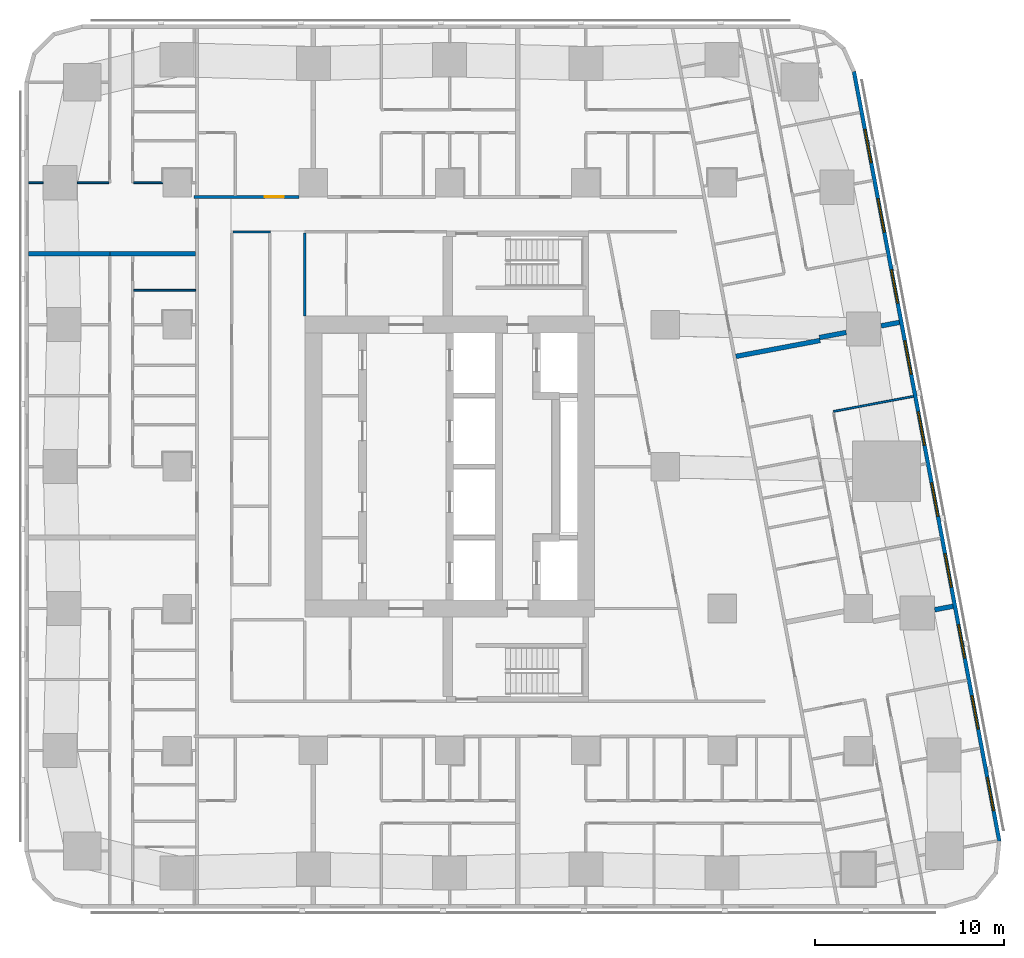
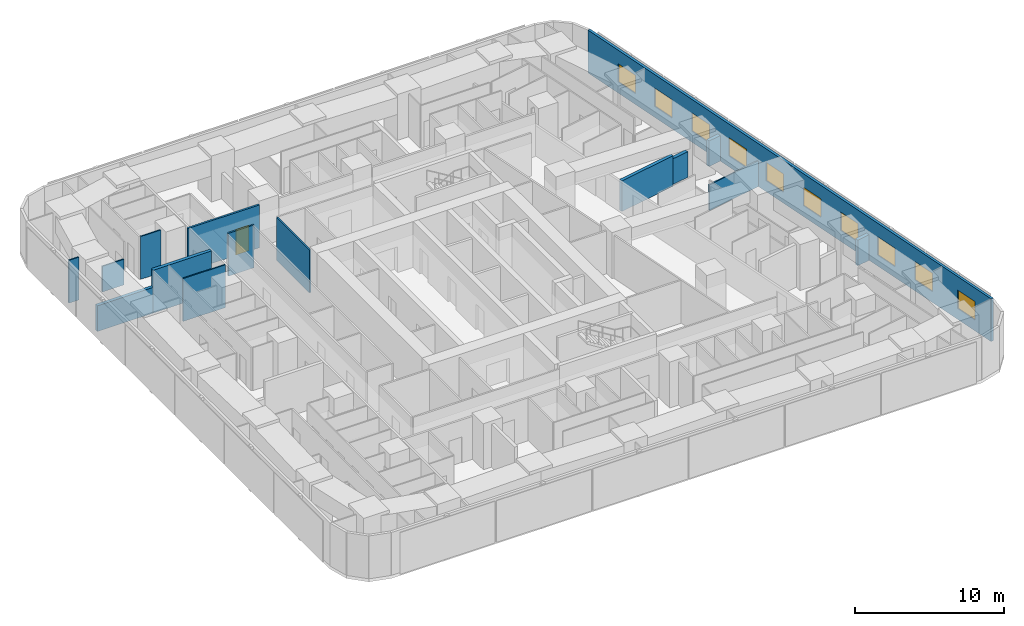
# One storey, part 8 of 15: 15 walls, 10 windows, 1 door, 11 openings.
"""IFC4 building model written with IfcOpenShell, lengths in metres."""

from ifc_helpers import new_model, si_unit, direction, frame, frame_2d, origin, place, context, subcontext, project, spatial, rectangle, extrude, material, layer, layer_set, type_object, element, fill, save


model = new_model("IFC4")

# Units and contexts
model_context = context("Model", 3, precision=1e-05, world=origin(), true_north=direction((0.0, 1.0)))
body_context = subcontext(model_context, "Body", "Model", "MODEL_VIEW")
ifc_project = project(units=[si_unit("LENGTHUNIT", "METRE"), si_unit("AREAUNIT", "SQUARE_METRE"), si_unit("VOLUMEUNIT", "CUBIC_METRE"), si_unit("PLANEANGLEUNIT", "RADIAN"), si_unit("MASSUNIT", "GRAM", prefix="KILO")], contexts=[model_context])

# Site, building, storey
site_placement = place(None, origin())
site = spatial("IfcSite", under=ifc_project, at=site_placement, CompositionType="ELEMENT")
building_placement = place(site_placement, origin())
building = spatial("IfcBuilding", under=site, at=building_placement, Name="Sheger Commons Tower", CompositionType="ELEMENT")
storey_placement = place(building_placement, frame((0.0, 0.0, 154.550048828125)))
storey = spatial("IfcBuildingStorey", under=building, at=storey_placement, Name="L39", CompositionType="ELEMENT", Elevation=154.550048828125)

# Wall, opening, door
ifc_material_1 = material(Name="Hollow concrete block masonry, skimmed both sides", Category="masonry")
ifc_layer_1 = layer(ifc_material_1, 0.14990234375)
ifc_layer_set_1 = layer_set([ifc_layer_1], Name="CORRIDOR WALL 150")
wall_type_1 = type_object("IfcWallType", Name="CORRIDOR WALL 150", PredefinedType="SOLIDWALL", material=ifc_layer_set_1)
wall_1_placement = place(storey_placement, frame((8.10009765625, 36.75, 0.0), z_axis=(0.0, 0.0, 1.0), x_axis=(1.0, 0.0, 0.0)))
wall_1 = element("IfcWall", 1, at=wall_1_placement, inside=storey, type_object=wall_type_1, Name="Corridor wall L39", PredefinedType="SOLIDWALL", context=body_context, shape_type="SweptSolid", body=[
    extrude(rectangle(XDim=5.548828125, YDim=0.14990234375, at=frame_2d((2.7744140625, 0.0))), origin(), (0.0, 0.0, 1.0), 3.5),
])
opening_1_placement = place(wall_1_placement, frame((3.739013671875, 0.0, 0.0)))
opening_1 = element("IfcOpeningElement", 2, at=opening_1_placement, cuts=wall_1, Name="Opening D1", PredefinedType="OPENING", context=body_context, shape_type="SweptSolid", body=[
    extrude(rectangle(XDim=1.0, YDim=2.10009765625, at=frame_2d((0.5, 1.050048828125))), frame((0.0, 0.0849609375, 0.0), z_axis=(0.0, -1.0, 0.0), x_axis=(1.0, 0.0, 0.0)), (0.0, 0.0, 1.0), 0.169921875),
])
ifc_material_2 = material(Name="Steel door set, fire rated", Category="steel")
door_type = type_object("IfcDoorType", Name="FLAT ENTRANCE DOOR 1000x2100", OperationType="NOTDEFINED", PredefinedType="DOOR", material=ifc_material_2)
door_placement = place(opening_1_placement, origin())
door = element("IfcDoor", 3, at=door_placement, inside=storey, type_object=door_type, Name="Flat entrance door", OperationType="SINGLE_SWING_RIGHT", OverallHeight=2.10009765625, OverallWidth=1.0, PredefinedType="DOOR", context=body_context, shape_type="SweptSolid", body=[
    extrude(rectangle(XDim=1.0, YDim=2.10009765625, at=frame_2d((0.5, 1.050048828125))), frame((0.0, 0.02490234375, 0.0), z_axis=(0.0, -1.0, 0.0), x_axis=(1.0, 0.0, 0.0)), (0.0, 0.0, 1.0), 0.050048828125),
])
fill(opening_1, door)

# Walls
ifc_material_3 = material(Name="Dense concrete block masonry, plastered both sides (separating wall between flats)", Category="masonry")
ifc_layer_2 = layer(ifc_material_3, 0.25)
ifc_layer_set_2 = layer_set([ifc_layer_2], Name="DEMISING WALL 250")
wall_type_2 = type_object("IfcWallType", Name="DEMISING WALL 250", PredefinedType="SOLIDWALL", material=ifc_layer_set_2)
wall_2_placement = place(storey_placement, frame((-0.64990234375, 33.75, 0.0), z_axis=(0.0, 0.0, 1.0), x_axis=(1.0, 0.0, 0.0)))
element("IfcWall", 4, at=wall_2_placement, inside=storey, type_object=wall_type_2, Name="Demising wall L39", PredefinedType="SOLIDWALL", context=body_context, shape_type="SweptSolid", body=[
    extrude(rectangle(XDim=4.2998046875, YDim=0.25, at=frame_2d((2.14990234375, 0.0))), origin(), (0.0, 0.0, 1.0), 2.099853515625),
])
wall_3_placement = place(storey_placement, frame((3.64990234375, 33.75, 0.0), z_axis=(0.0, 0.0, 1.0), x_axis=(1.0, 0.0, 0.0)))
element("IfcWall", 5, at=wall_3_placement, inside=storey, type_object=wall_type_2, Name="Demising wall L39", PredefinedType="SOLIDWALL", context=body_context, shape_type="SweptSolid", body=[
    extrude(rectangle(XDim=4.525146484375, YDim=0.25, at=frame_2d((2.2626953125, 0.0))), origin(), (0.0, 0.0, 1.0), 3.5),
])
wall_4_placement = place(storey_placement, frame((45.3720703125, 30.12109375, 0.0), z_axis=(0.0, 0.0, 1.0), x_axis=(-0.982576361834, -0.185859337043, 0.0)))
element("IfcWall", 6, at=wall_4_placement, inside=storey, type_object=wall_type_2, Name="Demising wall L39", PredefinedType="SOLIDWALL", context=body_context, shape_type="SweptSolid", body=[
    extrude(rectangle(XDim=0.985107421875, YDim=0.25, at=frame_2d((0.49267578125, 0.0))), origin(), (0.0, 0.0, 1.0), 2.099853515625),
])
wall_5_placement = place(storey_placement, frame((42.555908203125, 29.589111328125, 0.0), z_axis=(0.0, 0.0, 1.0), x_axis=(-0.982502104561, -0.18625148196, 0.0)))
element("IfcWall", 7, at=wall_5_placement, inside=storey, type_object=wall_type_2, Name="Demising wall L39", PredefinedType="SOLIDWALL", context=body_context, shape_type="SweptSolid", body=[
    extrude(rectangle(XDim=1.43408203125, YDim=0.25, at=frame_2d((0.717041015625, 0.0))), origin(), (0.0, 0.0, 1.0), 2.099853515625),
])
wall_6_placement = place(storey_placement, frame((41.177001953125, 29.1640625, 0.0), z_axis=(0.0, 0.0, 1.0), x_axis=(-0.982612837616, -0.185666398014, 0.0)))
element("IfcWall", 8, at=wall_6_placement, inside=storey, type_object=wall_type_2, Name="Demising wall L39", PredefinedType="SOLIDWALL", context=body_context, shape_type="SweptSolid", body=[
    extrude(rectangle(XDim=4.524658203125, YDim=0.25, at=frame_2d((2.26220703125, 0.0))), origin(), (0.0, 0.0, 1.0), 2.5),
])
wall_7_placement = place(storey_placement, frame((48.2060546875, 15.1201171875, 0.0), z_axis=(0.0, 0.0, 1.0), x_axis=(-0.982576361834, -0.185859337043, 0.0)))
element("IfcWall", 9, at=wall_7_placement, inside=storey, type_object=wall_type_2, Name="Demising wall L39", PredefinedType="SOLIDWALL", context=body_context, shape_type="SweptSolid", body=[
    extrude(rectangle(XDim=0.985107421875, YDim=0.25, at=frame_2d((0.49267578125, 0.0))), origin(), (0.0, 0.0, 1.0), 2.099853515625),
])

# Wall, openings, windows
ifc_material_4 = material(Name="Rendered concrete block masonry, dark grey", Category="masonry")
ifc_layer_3 = layer(ifc_material_4, 0.199951171875)
ifc_layer_set_3 = layer_set([ifc_layer_3], Name="FACADE WALL 200")
wall_type_3 = type_object("IfcWallType", Name="FACADE WALL 200", PredefinedType="SOLIDWALL", material=ifc_layer_set_3)
wall_8_placement = place(storey_placement, frame((50.653076171875, 2.702880859375, 0.0), z_axis=(0.0, 0.0, 1.0), x_axis=(-0.185612026696, 0.982623109613, 0.0)))
wall_8 = element("IfcWall", 10, at=wall_8_placement, inside=storey, type_object=wall_type_3, Name="Facade wall L39", PredefinedType="SOLIDWALL", context=body_context, shape_type="SweptSolid", body=[
    extrude(rectangle(XDim=41.393310546875, YDim=0.199951171875, at=frame_2d((20.69677734375, 0.0))), origin(), (0.0, 0.0, 1.0), 3.5),
])
opening_2_placement = place(wall_8_placement, frame((1.633056640625, 0.0, 0.89990234375)))
opening_2 = element("IfcOpeningElement", 11, at=opening_2_placement, cuts=wall_8, Name="Opening W2", PredefinedType="OPENING", context=body_context, shape_type="SweptSolid", body=[
    extrude(rectangle(XDim=1.800048828125, YDim=1.5, at=frame_2d((0.89990234375, 0.75))), frame((0.0, 0.10986328125, 0.0), z_axis=(0.0, -1.0, 0.0), x_axis=(1.0, 0.0, 0.0)), (0.0, 0.0, 1.0), 0.219970703125),
])
opening_3_placement = place(wall_8_placement, frame((6.031982421875, 0.0, 0.89990234375)))
opening_3 = element("IfcOpeningElement", 12, at=opening_3_placement, cuts=wall_8, Name="Opening W2", PredefinedType="OPENING", context=body_context, shape_type="SweptSolid", body=[
    extrude(rectangle(XDim=1.800048828125, YDim=1.5, at=frame_2d((0.89990234375, 0.75))), frame((0.0, 0.10986328125, 0.0), z_axis=(0.0, -1.0, 0.0), x_axis=(1.0, 0.0, 0.0)), (0.0, 0.0, 1.0), 0.219970703125),
])
opening_4_placement = place(wall_8_placement, frame((9.847900390625, 0.0, 0.89990234375)))
opening_4 = element("IfcOpeningElement", 13, at=opening_4_placement, cuts=wall_8, Name="Opening W2", PredefinedType="OPENING", context=body_context, shape_type="SweptSolid", body=[
    extrude(rectangle(XDim=1.800048828125, YDim=1.5, at=frame_2d((0.89990234375, 0.75))), frame((0.0, 0.10986328125, 0.0), z_axis=(0.0, -1.0, 0.0), x_axis=(1.0, 0.0, 0.0)), (0.0, 0.0, 1.0), 0.219970703125),
])
opening_5_placement = place(wall_8_placement, frame((13.6640625, 0.0, 0.89990234375)))
opening_5 = element("IfcOpeningElement", 14, at=opening_5_placement, cuts=wall_8, Name="Opening W2", PredefinedType="OPENING", context=body_context, shape_type="SweptSolid", body=[
    extrude(rectangle(XDim=1.800048828125, YDim=1.5, at=frame_2d((0.89990234375, 0.75))), frame((0.0, 0.10986328125, 0.0), z_axis=(0.0, -1.0, 0.0), x_axis=(1.0, 0.0, 0.0)), (0.0, 0.0, 1.0), 0.219970703125),
])
opening_6_placement = place(wall_8_placement, frame((17.48095703125, 0.0, 0.89990234375)))
opening_6 = element("IfcOpeningElement", 15, at=opening_6_placement, cuts=wall_8, Name="Opening W2", PredefinedType="OPENING", context=body_context, shape_type="SweptSolid", body=[
    extrude(rectangle(XDim=1.800048828125, YDim=1.5, at=frame_2d((0.89990234375, 0.75))), frame((0.0, 0.10986328125, 0.0), z_axis=(0.0, -1.0, 0.0), x_axis=(1.0, 0.0, 0.0)), (0.0, 0.0, 1.0), 0.219970703125),
])
opening_7_placement = place(wall_8_placement, frame((21.297119140625, 0.0, 0.89990234375)))
opening_7 = element("IfcOpeningElement", 16, at=opening_7_placement, cuts=wall_8, Name="Opening W2", PredefinedType="OPENING", context=body_context, shape_type="SweptSolid", body=[
    extrude(rectangle(XDim=1.800048828125, YDim=1.5, at=frame_2d((0.89990234375, 0.75))), frame((0.0, 0.10986328125, 0.0), z_axis=(0.0, -1.0, 0.0), x_axis=(1.0, 0.0, 0.0)), (0.0, 0.0, 1.0), 0.219970703125),
])
opening_8_placement = place(wall_8_placement, frame((25.113037109375, 0.0, 0.89990234375)))
opening_8 = element("IfcOpeningElement", 17, at=opening_8_placement, cuts=wall_8, Name="Opening W2", PredefinedType="OPENING", context=body_context, shape_type="SweptSolid", body=[
    extrude(rectangle(XDim=1.800048828125, YDim=1.5, at=frame_2d((0.89990234375, 0.75))), frame((0.0, 0.10986328125, 0.0), z_axis=(0.0, -1.0, 0.0), x_axis=(1.0, 0.0, 0.0)), (0.0, 0.0, 1.0), 0.219970703125),
])
opening_9_placement = place(wall_8_placement, frame((28.929931640625, 0.0, 0.89990234375)))
opening_9 = element("IfcOpeningElement", 18, at=opening_9_placement, cuts=wall_8, Name="Opening W2", PredefinedType="OPENING", context=body_context, shape_type="SweptSolid", body=[
    extrude(rectangle(XDim=1.800048828125, YDim=1.5, at=frame_2d((0.89990234375, 0.75))), frame((0.0, 0.10986328125, 0.0), z_axis=(0.0, -1.0, 0.0), x_axis=(1.0, 0.0, 0.0)), (0.0, 0.0, 1.0), 0.219970703125),
])
opening_10_placement = place(wall_8_placement, frame((32.74609375, 0.0, 0.89990234375)))
opening_10 = element("IfcOpeningElement", 19, at=opening_10_placement, cuts=wall_8, Name="Opening W2", PredefinedType="OPENING", context=body_context, shape_type="SweptSolid", body=[
    extrude(rectangle(XDim=1.800048828125, YDim=1.5, at=frame_2d((0.89990234375, 0.75))), frame((0.0, 0.10986328125, 0.0), z_axis=(0.0, -1.0, 0.0), x_axis=(1.0, 0.0, 0.0)), (0.0, 0.0, 1.0), 0.219970703125),
])
opening_11_placement = place(wall_8_placement, frame((36.48095703125, 0.0, 0.89990234375)))
opening_11 = element("IfcOpeningElement", 20, at=opening_11_placement, cuts=wall_8, Name="Opening W2", PredefinedType="OPENING", context=body_context, shape_type="SweptSolid", body=[
    extrude(rectangle(XDim=1.800048828125, YDim=1.5, at=frame_2d((0.89990234375, 0.75))), frame((0.0, 0.10986328125, 0.0), z_axis=(0.0, -1.0, 0.0), x_axis=(1.0, 0.0, 0.0)), (0.0, 0.0, 1.0), 0.219970703125),
])
ifc_material_5 = material(Name="Black aluminium frame, dark tinted double glazing", Category="aluminium")
window_type = type_object("IfcWindowType", Name="WINDOW W2 1800x1500", PartitioningType="SINGLE_PANEL", PredefinedType="WINDOW", material=ifc_material_5)
window_1_placement = place(opening_2_placement, origin())
window_1 = element("IfcWindow", 21, at=window_1_placement, inside=storey, type_object=window_type, Name="Window W2 1800X1500", OverallHeight=1.5, OverallWidth=1.800048828125, PartitioningType="SINGLE_PANEL", PredefinedType="WINDOW", context=body_context, shape_type="SweptSolid", body=[
    extrude(rectangle(XDim=1.800048828125, YDim=1.5, at=frame_2d((0.89990234375, 0.75))), frame((0.0, 0.030029296875, 0.0), z_axis=(0.0, -1.0, 0.0), x_axis=(1.0, 0.0, 0.0)), (0.0, 0.0, 1.0), 0.06005859375),
])
fill(opening_2, window_1)
window_2_placement = place(opening_3_placement, origin())
window_2 = element("IfcWindow", 22, at=window_2_placement, inside=storey, type_object=window_type, Name="Window W2 1800X1500", OverallHeight=1.5, OverallWidth=1.800048828125, PartitioningType="SINGLE_PANEL", PredefinedType="WINDOW", context=body_context, shape_type="SweptSolid", body=[
    extrude(rectangle(XDim=1.800048828125, YDim=1.5, at=frame_2d((0.89990234375, 0.75))), frame((0.0, 0.030029296875, 0.0), z_axis=(0.0, -1.0, 0.0), x_axis=(1.0, 0.0, 0.0)), (0.0, 0.0, 1.0), 0.06005859375),
])
fill(opening_3, window_2)
window_3_placement = place(opening_4_placement, origin())
window_3 = element("IfcWindow", 23, at=window_3_placement, inside=storey, type_object=window_type, Name="Window W2 1800X1500", OverallHeight=1.5, OverallWidth=1.800048828125, PartitioningType="SINGLE_PANEL", PredefinedType="WINDOW", context=body_context, shape_type="SweptSolid", body=[
    extrude(rectangle(XDim=1.800048828125, YDim=1.5, at=frame_2d((0.89990234375, 0.75))), frame((0.0, 0.030029296875, 0.0), z_axis=(0.0, -1.0, 0.0), x_axis=(1.0, 0.0, 0.0)), (0.0, 0.0, 1.0), 0.06005859375),
])
fill(opening_4, window_3)
window_4_placement = place(opening_5_placement, origin())
window_4 = element("IfcWindow", 24, at=window_4_placement, inside=storey, type_object=window_type, Name="Window W2 1800X1500", OverallHeight=1.5, OverallWidth=1.800048828125, PartitioningType="SINGLE_PANEL", PredefinedType="WINDOW", context=body_context, shape_type="SweptSolid", body=[
    extrude(rectangle(XDim=1.800048828125, YDim=1.5, at=frame_2d((0.89990234375, 0.75))), frame((0.0, 0.030029296875, 0.0), z_axis=(0.0, -1.0, 0.0), x_axis=(1.0, 0.0, 0.0)), (0.0, 0.0, 1.0), 0.06005859375),
])
fill(opening_5, window_4)
window_5_placement = place(opening_6_placement, origin())
window_5 = element("IfcWindow", 25, at=window_5_placement, inside=storey, type_object=window_type, Name="Window W2 1800X1500", OverallHeight=1.5, OverallWidth=1.800048828125, PartitioningType="SINGLE_PANEL", PredefinedType="WINDOW", context=body_context, shape_type="SweptSolid", body=[
    extrude(rectangle(XDim=1.800048828125, YDim=1.5, at=frame_2d((0.89990234375, 0.75))), frame((0.0, 0.030029296875, 0.0), z_axis=(0.0, -1.0, 0.0), x_axis=(1.0, 0.0, 0.0)), (0.0, 0.0, 1.0), 0.06005859375),
])
fill(opening_6, window_5)
window_6_placement = place(opening_7_placement, origin())
window_6 = element("IfcWindow", 26, at=window_6_placement, inside=storey, type_object=window_type, Name="Window W2 1800X1500", OverallHeight=1.5, OverallWidth=1.800048828125, PartitioningType="SINGLE_PANEL", PredefinedType="WINDOW", context=body_context, shape_type="SweptSolid", body=[
    extrude(rectangle(XDim=1.800048828125, YDim=1.5, at=frame_2d((0.89990234375, 0.75))), frame((0.0, 0.030029296875, 0.0), z_axis=(0.0, -1.0, 0.0), x_axis=(1.0, 0.0, 0.0)), (0.0, 0.0, 1.0), 0.06005859375),
])
fill(opening_7, window_6)
window_7_placement = place(opening_8_placement, origin())
window_7 = element("IfcWindow", 27, at=window_7_placement, inside=storey, type_object=window_type, Name="Window W2 1800X1500", OverallHeight=1.5, OverallWidth=1.800048828125, PartitioningType="SINGLE_PANEL", PredefinedType="WINDOW", context=body_context, shape_type="SweptSolid", body=[
    extrude(rectangle(XDim=1.800048828125, YDim=1.5, at=frame_2d((0.89990234375, 0.75))), frame((0.0, 0.030029296875, 0.0), z_axis=(0.0, -1.0, 0.0), x_axis=(1.0, 0.0, 0.0)), (0.0, 0.0, 1.0), 0.06005859375),
])
fill(opening_8, window_7)
window_8_placement = place(opening_9_placement, origin())
window_8 = element("IfcWindow", 28, at=window_8_placement, inside=storey, type_object=window_type, Name="Window W2 1800X1500", OverallHeight=1.5, OverallWidth=1.800048828125, PartitioningType="SINGLE_PANEL", PredefinedType="WINDOW", context=body_context, shape_type="SweptSolid", body=[
    extrude(rectangle(XDim=1.800048828125, YDim=1.5, at=frame_2d((0.89990234375, 0.75))), frame((0.0, 0.030029296875, 0.0), z_axis=(0.0, -1.0, 0.0), x_axis=(1.0, 0.0, 0.0)), (0.0, 0.0, 1.0), 0.06005859375),
])
fill(opening_9, window_8)
window_9_placement = place(opening_10_placement, origin())
window_9 = element("IfcWindow", 29, at=window_9_placement, inside=storey, type_object=window_type, Name="Window W2 1800X1500", OverallHeight=1.5, OverallWidth=1.800048828125, PartitioningType="SINGLE_PANEL", PredefinedType="WINDOW", context=body_context, shape_type="SweptSolid", body=[
    extrude(rectangle(XDim=1.800048828125, YDim=1.5, at=frame_2d((0.89990234375, 0.75))), frame((0.0, 0.030029296875, 0.0), z_axis=(0.0, -1.0, 0.0), x_axis=(1.0, 0.0, 0.0)), (0.0, 0.0, 1.0), 0.06005859375),
])
fill(opening_10, window_9)
window_10_placement = place(opening_11_placement, origin())
window_10 = element("IfcWindow", 30, at=window_10_placement, inside=storey, type_object=window_type, Name="Window W2 1800X1500", OverallHeight=1.5, OverallWidth=1.800048828125, PartitioningType="SINGLE_PANEL", PredefinedType="WINDOW", context=body_context, shape_type="SweptSolid", body=[
    extrude(rectangle(XDim=1.800048828125, YDim=1.5, at=frame_2d((0.89990234375, 0.75))), frame((0.0, 0.030029296875, 0.0), z_axis=(0.0, -1.0, 0.0), x_axis=(1.0, 0.0, 0.0)), (0.0, 0.0, 1.0), 0.06005859375),
])
fill(opening_11, window_10)

# Walls
ifc_material_6 = material(Name="Gypsum board on steel studs", Category="steel")
ifc_layer_4 = layer(ifc_material_6, 0.10009765625)
ifc_layer_set_4 = layer_set([ifc_layer_4], Name="PARTITION 100")
wall_type_4 = type_object("IfcWallType", Name="PARTITION 100", PredefinedType="PARTITIONING", material=ifc_layer_set_4)
wall_9_placement = place(storey_placement, frame((4.89990234375, 31.820068359375, 0.0), z_axis=(0.0, 0.0, 1.0), x_axis=(1.0, 0.0, 0.0)))
element("IfcWall", 31, at=wall_9_placement, inside=storey, type_object=wall_type_4, Name="Partition L39", PredefinedType="PARTITIONING", context=body_context, shape_type="SweptSolid", body=[
    extrude(rectangle(XDim=3.275146484375, YDim=0.10009765625, at=frame_2d((1.6376953125, 0.0))), origin(), (0.0, 0.0, 1.0), 3.5),
])
wall_10_placement = place(storey_placement, frame((-0.64990234375, 37.5, 0.0), z_axis=(0.0, 0.0, 1.0), x_axis=(1.0, 0.0, 0.0)))
element("IfcWall", 32, at=wall_10_placement, inside=storey, type_object=wall_type_4, Name="Partition L39", PredefinedType="PARTITIONING", context=body_context, shape_type="SweptSolid", body=[
    extrude(rectangle(XDim=0.77392578125, YDim=0.10009765625, at=frame_2d((0.386962890625, 0.0))), origin(), (0.0, 0.0, 1.0), 3.5),
])
wall_11_placement = place(storey_placement, frame((1.926025390625, 37.5, 0.0), z_axis=(0.0, 0.0, 1.0), x_axis=(1.0, 0.0, 0.0)))
element("IfcWall", 33, at=wall_11_placement, inside=storey, type_object=wall_type_4, Name="Partition L39", PredefinedType="PARTITIONING", context=body_context, shape_type="SweptSolid", body=[
    extrude(rectangle(XDim=1.674072265625, YDim=0.10009765625, at=frame_2d((0.8369140625, 0.0))), origin(), (0.0, 0.0, 1.0), 2.099853515625),
])
wall_12_placement = place(storey_placement, frame((4.89990234375, 37.5, 0.0), z_axis=(0.0, 0.0, 1.0), x_axis=(1.0, 0.0, 0.0)))
element("IfcWall", 34, at=wall_12_placement, inside=storey, type_object=wall_type_4, Name="Partition L39", PredefinedType="PARTITIONING", context=body_context, shape_type="SweptSolid", body=[
    extrude(rectangle(XDim=1.549072265625, YDim=0.10009765625, at=frame_2d((0.7744140625, 0.0))), origin(), (0.0, 0.0, 1.0), 3.5),
])
wall_13_placement = place(storey_placement, frame((46.110107421875, 26.212890625, 0.0), z_axis=(0.0, 0.0, 1.0), x_axis=(-0.982633535512, -0.185556823879, 0.0)))
element("IfcWall", 35, at=wall_13_placement, inside=storey, type_object=wall_type_4, Name="Partition L39", PredefinedType="PARTITIONING", context=body_context, shape_type="SweptSolid", body=[
    extrude(rectangle(XDim=4.2998046875, YDim=0.10009765625, at=frame_2d((2.14990234375, 0.0))), origin(), (0.0, 0.0, 1.0), 2.099853515625),
])
ifc_material_7 = material(Name="Gypsum board on steel studs, two layers each side, fire rated", Category="steel")
ifc_layer_5 = layer(ifc_material_7, 0.125)
ifc_layer_set_5 = layer_set([ifc_layer_5], Name="SERVICE WALL 125")
wall_type_5 = type_object("IfcWallType", Name="SERVICE WALL 125", PredefinedType="PARTITIONING", material=ifc_layer_set_5)
wall_14_placement = place(storey_placement, frame((13.949951171875, 30.449951171875, 0.0), z_axis=(0.0, 0.0, 1.0), x_axis=(0.0, 1.0, 0.0)))
element("IfcWall", 36, at=wall_14_placement, inside=storey, type_object=wall_type_5, Name="Service room wall L39", PredefinedType="PARTITIONING", context=body_context, shape_type="SweptSolid", body=[
    extrude(rectangle(XDim=4.386962890625, YDim=0.125, at=frame_2d((2.193359375, 0.0))), origin(), (0.0, 0.0, 1.0), 3.5),
])
wall_15_placement = place(storey_placement, frame((10.162109375, 34.89990234375, 0.0), z_axis=(0.0, 0.0, 1.0), x_axis=(1.0, 0.0, 0.0)))
element("IfcWall", 37, at=wall_15_placement, inside=storey, type_object=wall_type_5, Name="Service room wall L39", PredefinedType="PARTITIONING", context=body_context, shape_type="SweptSolid", body=[
    extrude(rectangle(XDim=1.98779296875, YDim=0.125, at=frame_2d((0.993896484375, 0.0))), origin(), (0.0, 0.0, 1.0), 3.5),
])

save(model, "model.ifc")
